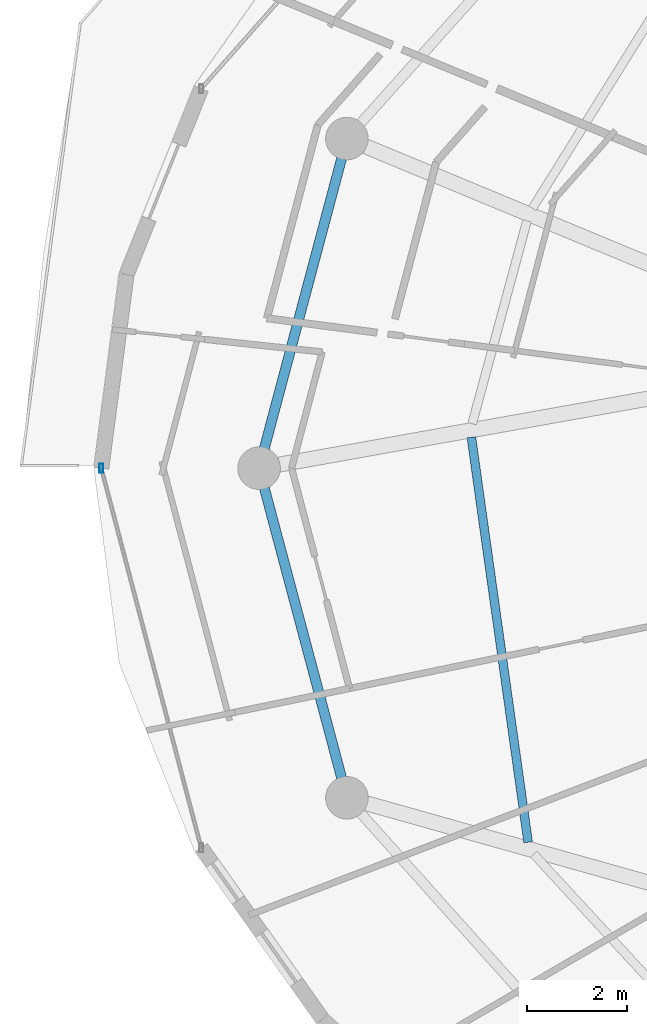
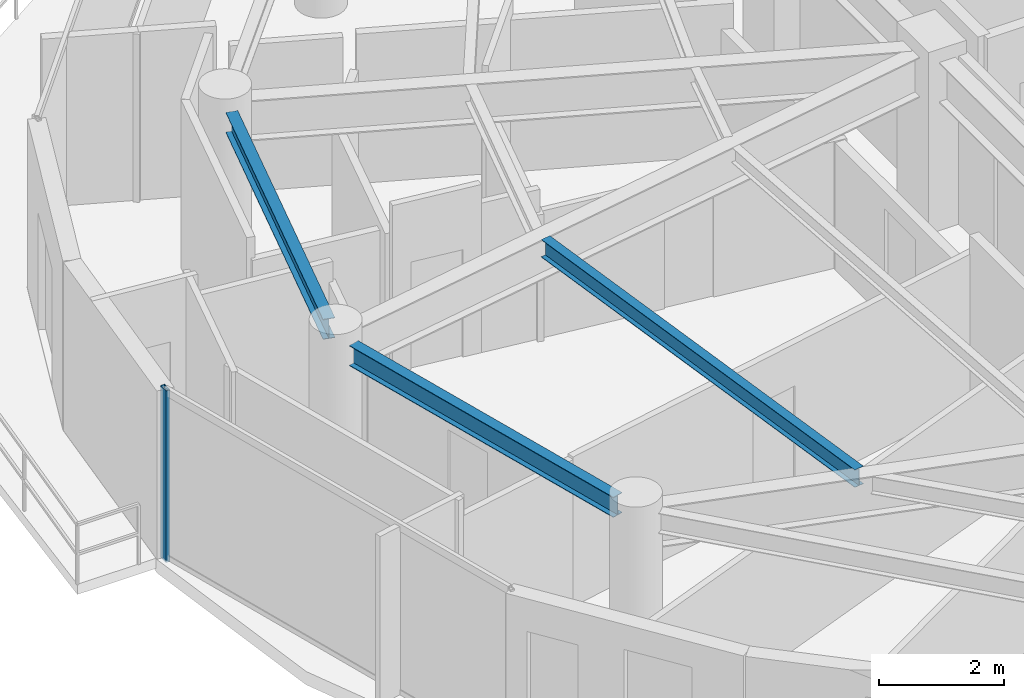
# One storey, part 6 of 30: 3 beams, 1 member, 1 element without a shape of its own.
"""IFC4 building model written with IfcOpenShell, lengths in metres."""

from ifc_helpers import new_model, si_unit, direction, frame, origin, origin_2d, place, context, subcontext, project, spatial, hollow_rectangle, i_section, extrude, material, material_profile, profile_set, type_object, element, aggregate, save


model = new_model("IFC4")

# Units and contexts
model_context = context("Model", 3, precision=1e-05, world=origin(), true_north=direction((0.0, 1.0)))
body_context = subcontext(model_context, "Body", "Model", "MODEL_VIEW")
ifc_project = project(units=[si_unit("LENGTHUNIT", "METRE"), si_unit("AREAUNIT", "SQUARE_METRE"), si_unit("VOLUMEUNIT", "CUBIC_METRE"), si_unit("PLANEANGLEUNIT", "RADIAN"), si_unit("MASSUNIT", "GRAM", prefix="KILO")], contexts=[model_context])

# Site, building, storey
site_placement = place(None, origin())
site = spatial("IfcSite", under=ifc_project, at=site_placement, CompositionType="ELEMENT")
building_placement = place(site_placement, origin())
building = spatial("IfcBuilding", under=site, at=building_placement, Name="Vorneva Point Tower", CompositionType="ELEMENT")
storey_placement = place(building_placement, frame((0.0, 0.0, 241.35009765625)))
storey = spatial("IfcBuildingStorey", under=building, at=storey_placement, Name="L65", CompositionType="ELEMENT", Elevation=241.35009765625)

# Beams
ifc_material_1 = material(Name="Steel S355", Category="steel")
ifc_material_profile_1 = material_profile(ifc_material_1, i_section(OverallWidth=0.174072265625, OverallDepth=0.345947265625, WebThickness=0.006103515625, FlangeThickness=0.009033203125, at=origin_2d()), Name="35B1")
ifc_profile_set_1 = profile_set([ifc_material_profile_1], Name="Steel S355")
beam_type_1 = type_object("IfcBeamType", Name="BM-SEC-35B1", PredefinedType="BEAM", material=ifc_profile_set_1)
beam_placement = place(storey_placement, frame((19.190185546875, 26.618408203125, 3.116943359375), z_axis=(0.138796784083, -0.990320883718, 0.0), x_axis=(0.990320883718, 0.138796784083, 0.0)))
element("IfcBeam", 1, at=beam_placement, inside=storey, type_object=beam_type_1, Name="L65 Secondary Floor Beam 1.09", PredefinedType="BEAM", context=body_context, shape_type="SweptSolid", body=[
    extrude(i_section(OverallWidth=0.174072265625, OverallDepth=0.345947265625, WebThickness=0.006103515625, FlangeThickness=0.009033203125, at=origin_2d()), origin(), (0.0, 0.0, 1.0), 8.1669921875),
])
ifc_material_profile_2 = material_profile(ifc_material_1, i_section(OverallWidth=0.198974609375, OverallDepth=0.39599609375, WebThickness=0.007080078125, FlangeThickness=0.010986328125, at=origin_2d()), Name="40B1")
ifc_profile_set_2 = profile_set([ifc_material_profile_2], Name="Steel S355")
beam_type_2 = type_object("IfcBeamType", Name="BM-SPN-40B1", PredefinedType="SPANDREL", material=ifc_profile_set_2)
for number, where, z_axis, x_axis, name in (
    (2, (16.59912109375, 32.18603515625, 3.091796875), (-0.257586570866, -0.966255224312, 0.0), (0.966255224312, -0.257586570866, 0.0), "L65 Perimeter Spandrel Ring Beam 08"),
    (3, (15.0556640625, 25.603759765625, 3.091796875), (0.257586570866, -0.966255224312, 0.0), (0.966255224312, 0.257586570866, 0.0), "L65 Perimeter Spandrel Ring Beam 09"),
):
    element("IfcBeam", number, at=place(storey_placement, frame(where, z_axis=z_axis, x_axis=x_axis)), inside=storey, type_object=beam_type_2, Name=name, PredefinedType="SPANDREL", context=body_context, shape_type="SweptSolid", body=[
        extrude(i_section(OverallWidth=0.198974609375, OverallDepth=0.39599609375, WebThickness=0.007080078125, FlangeThickness=0.010986328125, at=origin_2d()), origin(), (0.0, 0.0, 1.0), 5.991943359375),
    ])

# Curtain wall, member
ifc_material_2 = material(Name="Pale anodised aluminium", Category="aluminium")
curtain_wall_type = type_object("IfcCurtainWallType", Name="CW-RES-SYS", PredefinedType="NOTDEFINED", material=ifc_material_2)
curtain_wall_placement = place(storey_placement, origin())
curtain_wall = element("IfcCurtainWall", 4, at=curtain_wall_placement, inside=storey, type_object=curtain_wall_type, Name="L65 Unitised Curtain Wall CW-L65-R03", PredefinedType="NOTDEFINED")
ifc_material_profile_3 = material_profile(ifc_material_2, hollow_rectangle(XDim=0.074951171875, YDim=0.179931640625, WallThickness=0.00390625, at=origin_2d()), Name="AL-MUL 180x75x4")
ifc_profile_set_3 = profile_set([ifc_material_profile_3], Name="Pale anodised aluminium")
member_type = type_object("IfcMemberType", Name="CW-MUL-180", PredefinedType="MULLION", material=ifc_profile_set_3)
member_placement = place(storey_placement, frame((11.800048828125, 26.0, -0.0400390625), z_axis=(0.0, 0.0, 1.0), x_axis=(1.0, 0.0, 0.0)))
member = element("IfcMember", 5, at=member_placement, type_object=member_type, Name="CW-L65-R03 Mullion 01", PredefinedType="MULLION", context=body_context, shape_type="SweptSolid", body=[
    extrude(hollow_rectangle(XDim=0.074951171875, YDim=0.179931640625, WallThickness=0.00390625, at=origin_2d()), origin(), (0.0, 0.0, 1.0), 3.35986328125),
])
aggregate(curtain_wall, [member])

save(model, "model.ifc")
